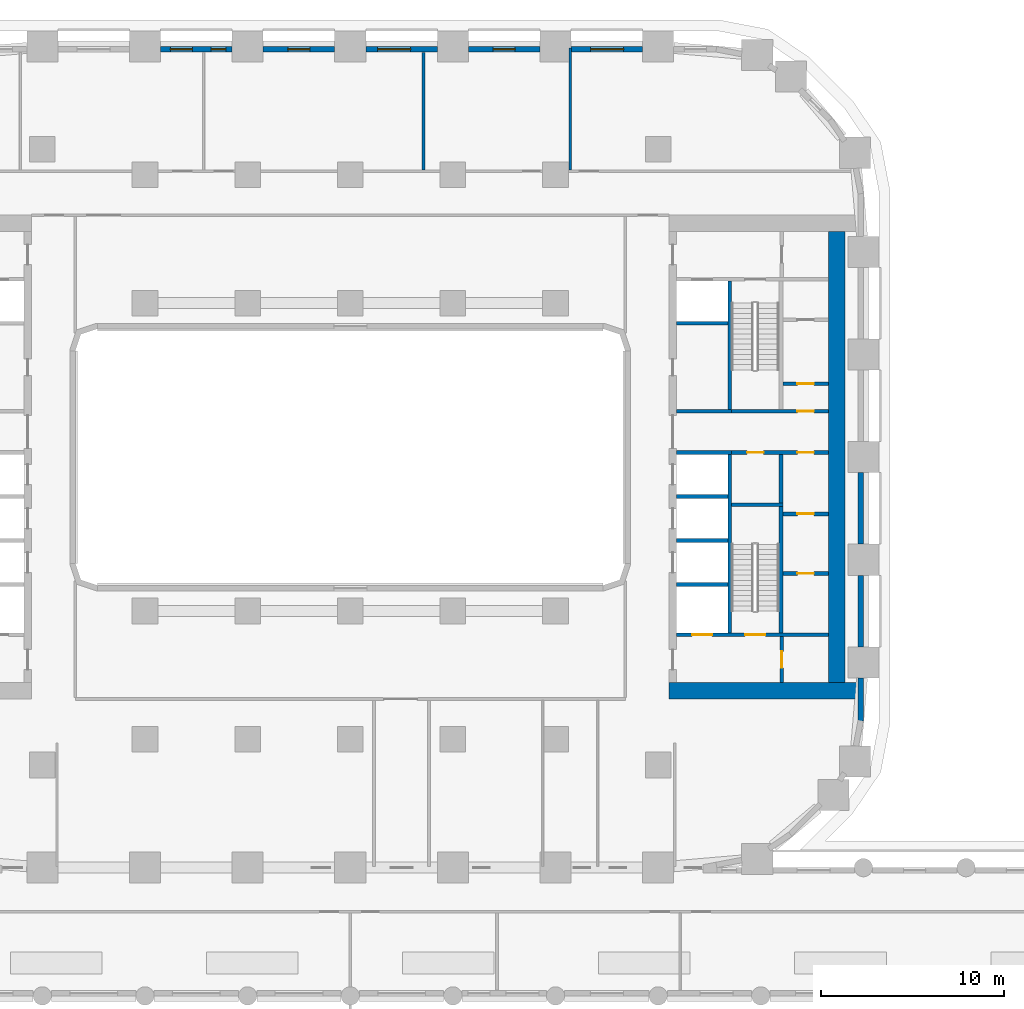
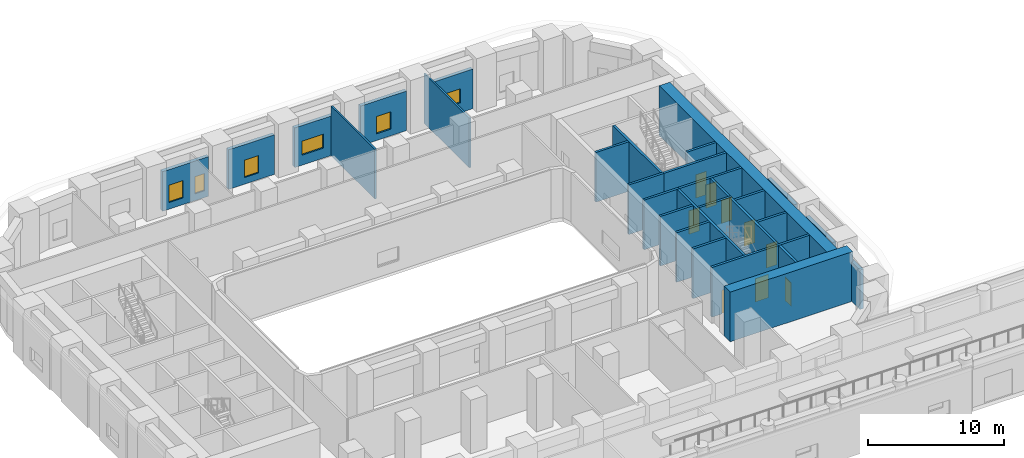
# One storey, part 7 of 13: 30 walls, 9 doors, 6 windows, 15 openings.
"""IFC4 building model written with IfcOpenShell, lengths in metres."""

from ifc_helpers import new_model, si_unit, direction, frame, frame_2d, origin, place, context, subcontext, project, spatial, rectangle, extrude, material, layer, layer_set, type_object, element, fill, save


model = new_model("IFC4")

# Units and contexts
model_context = context("Model", 3, precision=1e-05, world=origin(), true_north=direction((0.0, 1.0)))
body_context = subcontext(model_context, "Body", "Model", "MODEL_VIEW")
ifc_project = project(units=[si_unit("LENGTHUNIT", "METRE"), si_unit("AREAUNIT", "SQUARE_METRE"), si_unit("VOLUMEUNIT", "CUBIC_METRE"), si_unit("PLANEANGLEUNIT", "RADIAN"), si_unit("MASSUNIT", "GRAM", prefix="KILO")], contexts=[model_context])

# Site, building, storey
site_placement = place(None, origin())
site = spatial("IfcSite", under=ifc_project, at=site_placement, CompositionType="ELEMENT")
building_placement = place(site_placement, origin())
building = spatial("IfcBuilding", under=site, at=building_placement, Name="Kiln Ring Residences", CompositionType="ELEMENT")
storey_placement = place(building_placement, frame((0.0, 0.0, 25.699951171875)))
storey = spatial("IfcBuildingStorey", under=building, at=storey_placement, Name="L05", CompositionType="ELEMENT", Elevation=25.699951171875)

# Wall
ifc_material_1 = material(Name="Gypsum board on steel studs", Category="steel")
ifc_layer_1 = layer(ifc_material_1, 0.199951171875)
ifc_layer_set_1 = layer_set([ifc_layer_1], Name="CORE-PARTITION-200")
wall_type_1 = type_object("IfcWallType", Name="CORE-PARTITION-200", PredefinedType="PARTITIONING", material=ifc_layer_set_1)
wall_1_placement = place(storey_placement, frame((23.5, -2.5, 0.0), z_axis=(0.0, 0.0, 1.0), x_axis=(0.0, 1.0, 0.0)))
element("IfcWall", 1, at=wall_1_placement, inside=storey, type_object=wall_type_1, Name="Core partition east L05 1", PredefinedType="PARTITIONING", context=body_context, shape_type="SweptSolid", body=[
    extrude(rectangle(XDim=2.64990234375, YDim=0.199951171875, at=frame_2d((1.324951171875, 0.0))), origin(), (0.0, 0.0, 1.0), 4.449951171875),
])

# Wall, openings, doors
wall_2_placement = place(storey_placement, frame((20.800048828125, 0.25, 0.0), z_axis=(0.0, 0.0, 1.0), x_axis=(1.0, 0.0, 0.0)))
wall_2 = element("IfcWall", 2, at=wall_2_placement, inside=storey, type_object=wall_type_1, Name="Core partition east L05 2", PredefinedType="PARTITIONING", context=body_context, shape_type="SweptSolid", body=[
    extrude(rectangle(XDim=5.300048828125, YDim=0.199951171875, at=frame_2d((2.64990234375, 0.0))), origin(), (0.0, 0.0, 1.0), 4.449951171875),
])
opening_1_placement = place(wall_2_placement, frame((0.85009765625, 0.0, 0.0)))
opening_1 = element("IfcOpeningElement", 3, at=opening_1_placement, cuts=wall_2, Name="Opening L05-CE14", PredefinedType="OPENING", context=body_context, shape_type="SweptSolid", body=[
    extrude(rectangle(XDim=0.89990234375, YDim=2.10009765625, at=frame_2d((0.449951171875, 1.050048828125))), frame((0.0, 0.10986328125, 0.0), z_axis=(0.0, -1.0, 0.0), x_axis=(1.0, 0.0, 0.0)), (0.0, 0.0, 1.0), 0.219970703125),
])
opening_2_placement = place(wall_2_placement, frame((3.60009765625, 0.0, 0.0)))
opening_2 = element("IfcOpeningElement", 4, at=opening_2_placement, cuts=wall_2, Name="Opening L05-CE17", PredefinedType="OPENING", context=body_context, shape_type="SweptSolid", body=[
    extrude(rectangle(XDim=0.89990234375, YDim=2.10009765625, at=frame_2d((0.449951171875, 1.050048828125))), frame((0.0, 0.10986328125, 0.0), z_axis=(0.0, -1.0, 0.0), x_axis=(1.0, 0.0, 0.0)), (0.0, 0.0, 1.0), 0.219970703125),
])
ifc_material_2 = material(Name="Steel door leaf", Category="steel")
door_type_1 = type_object("IfcDoorType", Name="CORE-DOOR-ROOM", OperationType="SINGLE_SWING_LEFT", PredefinedType="DOOR", material=ifc_material_2)
door_1_placement = place(opening_1_placement, origin())
door_1 = element("IfcDoor", 5, at=door_1_placement, inside=storey, type_object=door_type_1, Name="Electrical riser room L05-CE14", OperationType="SINGLE_SWING_LEFT", OverallHeight=2.10009765625, OverallWidth=0.89990234375, PredefinedType="DOOR", context=body_context, shape_type="SweptSolid", body=[
    extrude(rectangle(XDim=0.89990234375, YDim=2.10009765625, at=frame_2d((0.449951171875, 1.050048828125))), frame((0.0, 0.02490234375, 0.0), z_axis=(0.0, -1.0, 0.0), x_axis=(1.0, 0.0, 0.0)), (0.0, 0.0, 1.0), 0.050048828125),
])
fill(opening_1, door_1)
door_2_placement = place(opening_2_placement, origin())
door_2 = element("IfcDoor", 6, at=door_2_placement, inside=storey, type_object=door_type_1, Name="Plant room L05-CE17", OperationType="SINGLE_SWING_RIGHT", OverallHeight=2.10009765625, OverallWidth=0.89990234375, PredefinedType="DOOR", context=body_context, shape_type="SweptSolid", body=[
    extrude(rectangle(XDim=0.89990234375, YDim=2.10009765625, at=frame_2d((0.449951171875, 1.050048828125))), frame((0.0, 0.02490234375, 0.0), z_axis=(0.0, -1.0, 0.0), x_axis=(1.0, 0.0, 0.0)), (0.0, 0.0, 1.0), 0.050048828125),
])
fill(opening_2, door_2)

# Wall, opening, door
wall_3_placement = place(storey_placement, frame((23.550048828125, -12.300048828125, 0.0), z_axis=(0.0, 0.0, 1.0), x_axis=(0.0, 1.0, 0.0)))
wall_3 = element("IfcWall", 7, at=wall_3_placement, inside=storey, type_object=wall_type_1, Name="Core partition east L05 4", PredefinedType="PARTITIONING", context=body_context, shape_type="SweptSolid", body=[
    extrude(rectangle(XDim=2.5, YDim=0.199951171875, at=frame_2d((1.25, 0.0))), origin(), (0.0, 0.0, 1.0), 4.449951171875),
])
opening_3_placement = place(wall_3_placement, frame((0.800048828125, 0.0, 0.0)))
opening_3 = element("IfcOpeningElement", 8, at=opening_3_placement, cuts=wall_3, Name="Opening L05-CE10", PredefinedType="OPENING", context=body_context, shape_type="SweptSolid", body=[
    extrude(rectangle(XDim=0.89990234375, YDim=2.10009765625, at=frame_2d((0.449951171875, 1.050048828125))), frame((0.0, 0.10986328125, 0.0), z_axis=(0.0, -1.0, 0.0), x_axis=(1.0, 0.0, 0.0)), (0.0, 0.0, 1.0), 0.219970703125),
])
door_3_placement = place(opening_3_placement, origin())
door_3 = element("IfcDoor", 9, at=door_3_placement, inside=storey, type_object=door_type_1, Name="Store L05-CE10", OperationType="SINGLE_SWING_LEFT", OverallHeight=2.10009765625, OverallWidth=0.89990234375, PredefinedType="DOOR", context=body_context, shape_type="SweptSolid", body=[
    extrude(rectangle(XDim=0.89990234375, YDim=2.10009765625, at=frame_2d((0.449951171875, 1.050048828125))), frame((0.0, 0.02490234375, 0.0), z_axis=(0.0, -1.0, 0.0), x_axis=(1.0, 0.0, 0.0)), (0.0, 0.0, 1.0), 0.050048828125),
])
fill(opening_3, door_3)

wall_4_placement = place(storey_placement, frame((23.60009765625, -6.35009765625, 0.0), z_axis=(0.0, 0.0, 1.0), x_axis=(1.0, 0.0, 0.0)))
wall_4 = element("IfcWall", 10, at=wall_4_placement, inside=storey, type_object=wall_type_1, Name="Core partition east L05 5", PredefinedType="PARTITIONING", context=body_context, shape_type="SweptSolid", body=[
    extrude(rectangle(XDim=2.5, YDim=0.199951171875, at=frame_2d((1.25, 0.0))), origin(), (0.0, 0.0, 1.0), 4.449951171875),
])
opening_4_placement = place(wall_4_placement, frame((0.800048828125, 0.0, 0.0)))
opening_4 = element("IfcOpeningElement", 11, at=opening_4_placement, cuts=wall_4, Name="Opening L05-CE15", PredefinedType="OPENING", context=body_context, shape_type="SweptSolid", body=[
    extrude(rectangle(XDim=0.89990234375, YDim=2.10009765625, at=frame_2d((0.449951171875, 1.050048828125))), frame((0.0, 0.10986328125, 0.0), z_axis=(0.0, -1.0, 0.0), x_axis=(1.0, 0.0, 0.0)), (0.0, 0.0, 1.0), 0.219970703125),
])
door_4_placement = place(opening_4_placement, origin())
door_4 = element("IfcDoor", 12, at=door_4_placement, inside=storey, type_object=door_type_1, Name="Meter room L05-CE15", OperationType="SINGLE_SWING_LEFT", OverallHeight=2.10009765625, OverallWidth=0.89990234375, PredefinedType="DOOR", context=body_context, shape_type="SweptSolid", body=[
    extrude(rectangle(XDim=0.89990234375, YDim=2.10009765625, at=frame_2d((0.449951171875, 1.050048828125))), frame((0.0, 0.02490234375, 0.0), z_axis=(0.0, -1.0, 0.0), x_axis=(1.0, 0.0, 0.0)), (0.0, 0.0, 1.0), 0.050048828125),
])
fill(opening_4, door_4)

wall_5_placement = place(storey_placement, frame((23.60009765625, -3.10009765625, 0.0), z_axis=(0.0, 0.0, 1.0), x_axis=(1.0, 0.0, 0.0)))
wall_5 = element("IfcWall", 13, at=wall_5_placement, inside=storey, type_object=wall_type_1, Name="Core partition east L05 6", PredefinedType="PARTITIONING", context=body_context, shape_type="SweptSolid", body=[
    extrude(rectangle(XDim=2.5, YDim=0.199951171875, at=frame_2d((1.25, 0.0))), origin(), (0.0, 0.0, 1.0), 4.449951171875),
])
opening_5_placement = place(wall_5_placement, frame((0.800048828125, 0.0, 0.0)))
opening_5 = element("IfcOpeningElement", 14, at=opening_5_placement, cuts=wall_5, Name="Opening L05-CE16", PredefinedType="OPENING", context=body_context, shape_type="SweptSolid", body=[
    extrude(rectangle(XDim=0.89990234375, YDim=2.10009765625, at=frame_2d((0.449951171875, 1.050048828125))), frame((0.0, 0.10986328125, 0.0), z_axis=(0.0, -1.0, 0.0), x_axis=(1.0, 0.0, 0.0)), (0.0, 0.0, 1.0), 0.219970703125),
])
door_5_placement = place(opening_5_placement, origin())
door_5 = element("IfcDoor", 15, at=door_5_placement, inside=storey, type_object=door_type_1, Name="Plant room L05-CE16", OperationType="SINGLE_SWING_RIGHT", OverallHeight=2.10009765625, OverallWidth=0.89990234375, PredefinedType="DOOR", context=body_context, shape_type="SweptSolid", body=[
    extrude(rectangle(XDim=0.89990234375, YDim=2.10009765625, at=frame_2d((0.449951171875, 1.050048828125))), frame((0.0, 0.02490234375, 0.0), z_axis=(0.0, -1.0, 0.0), x_axis=(1.0, 0.0, 0.0)), (0.0, 0.0, 1.0), 0.050048828125),
])
fill(opening_5, door_5)

wall_6_placement = place(storey_placement, frame((23.60009765625, 4.0, 0.0), z_axis=(0.0, 0.0, 1.0), x_axis=(1.0, 0.0, 0.0)))
wall_6 = element("IfcWall", 16, at=wall_6_placement, inside=storey, type_object=wall_type_1, Name="Core partition east L05 7", PredefinedType="PARTITIONING", context=body_context, shape_type="SweptSolid", body=[
    extrude(rectangle(XDim=2.5, YDim=0.199951171875, at=frame_2d((1.25, 0.0))), origin(), (0.0, 0.0, 1.0), 4.449951171875),
])
opening_6_placement = place(wall_6_placement, frame((0.800048828125, 0.0, 0.0)))
opening_6 = element("IfcOpeningElement", 17, at=opening_6_placement, cuts=wall_6, Name="Opening L05-CE18", PredefinedType="OPENING", context=body_context, shape_type="SweptSolid", body=[
    extrude(rectangle(XDim=0.89990234375, YDim=2.10009765625, at=frame_2d((0.449951171875, 1.050048828125))), frame((0.0, 0.10986328125, 0.0), z_axis=(0.0, -1.0, 0.0), x_axis=(1.0, 0.0, 0.0)), (0.0, 0.0, 1.0), 0.219970703125),
])
door_6_placement = place(opening_6_placement, origin())
door_6 = element("IfcDoor", 18, at=door_6_placement, inside=storey, type_object=door_type_1, Name="Electrical plant room L05-CE18", OperationType="SINGLE_SWING_RIGHT", OverallHeight=2.10009765625, OverallWidth=0.89990234375, PredefinedType="DOOR", context=body_context, shape_type="SweptSolid", body=[
    extrude(rectangle(XDim=0.89990234375, YDim=2.10009765625, at=frame_2d((0.449951171875, 1.050048828125))), frame((0.0, 0.02490234375, 0.0), z_axis=(0.0, -1.0, 0.0), x_axis=(1.0, 0.0, 0.0)), (0.0, 0.0, 1.0), 0.050048828125),
])
fill(opening_6, door_6)

# Walls
ifc_material_3 = material(Name="Gypsum shaft wall system")
ifc_layer_2 = layer(ifc_material_3, 0.199951171875)
ifc_layer_set_2 = layer_set([ifc_layer_2], Name="CORE-SHAFT-WALL-200")
wall_type_2 = type_object("IfcWallType", Name="CORE-SHAFT-WALL-200", PredefinedType="PARTITIONING", material=ifc_layer_set_2)
for number, where, z_axis, x_axis, name in (
    (19, (17.800048828125, -6.949951171875, 0.0), (0.0, 0.0, 1.0), (1.0, 0.0, 0.0), "Core partition east L05 9"),
    (20, (17.800048828125, -4.550048828125, 0.0), (0.0, 0.0, 1.0), (1.0, 0.0, 0.0), "Core partition east L05 10"),
    (21, (17.800048828125, -2.14990234375, 0.0), (0.0, 0.0, 1.0), (1.0, 0.0, 0.0), "Core partition east L05 11"),
):
    element("IfcWall", number, at=place(storey_placement, frame(where, z_axis=z_axis, x_axis=x_axis)), inside=storey, type_object=wall_type_2, Name=name, PredefinedType="PARTITIONING", context=body_context, shape_type="SweptSolid", body=[
        extrude(rectangle(XDim=2.800048828125, YDim=0.199951171875, at=frame_2d((1.39990234375, 0.0))), origin(), (0.0, 0.0, 1.0), 4.449951171875),
    ])
for number, where, z_axis, x_axis, name in (
    (22, (17.800048828125, 0.25, 0.0), (0.0, 0.0, 1.0), (1.0, 0.0, 0.0), "Core partition east L05 12"),
    (23, (17.800048828125, 2.5, 0.0), (0.0, 0.0, 1.0), (1.0, 0.0, 0.0), "Core partition east L05 13"),
):
    element("IfcWall", number, at=place(storey_placement, frame(where, z_axis=z_axis, x_axis=x_axis)), inside=storey, type_object=wall_type_2, Name=name, PredefinedType="PARTITIONING", context=body_context, shape_type="SweptSolid", body=[
        extrude(rectangle(XDim=3.0, YDim=0.199951171875, at=frame_2d((1.5, 0.0))), origin(), (0.0, 0.0, 1.0), 4.449951171875),
    ])
wall_7_placement = place(storey_placement, frame((17.800048828125, 7.300048828125, 0.0), z_axis=(0.0, 0.0, 1.0), x_axis=(1.0, 0.0, 0.0)))
element("IfcWall", 24, at=wall_7_placement, inside=storey, type_object=wall_type_2, Name="Core partition east L05 14", PredefinedType="PARTITIONING", context=body_context, shape_type="SweptSolid", body=[
    extrude(rectangle(XDim=2.800048828125, YDim=0.199951171875, at=frame_2d((1.39990234375, 0.0))), origin(), (0.0, 0.0, 1.0), 4.449951171875),
])
ifc_material_4 = material(Name="Concrete C40/50", Category="concrete")
ifc_layer_3 = layer(ifc_material_4, 0.199951171875)
ifc_layer_set_3 = layer_set([ifc_layer_3], Name="CORE-WALL-RC200")
wall_type_3 = type_object("IfcWallType", Name="CORE-WALL-RC200", PredefinedType="SHEAR", material=ifc_layer_set_3)
wall_8_placement = place(storey_placement, frame((20.699951171875, 2.60009765625, 0.0), z_axis=(0.0, 0.0, 1.0), x_axis=(0.0, 1.0, 0.0)))
element("IfcWall", 25, at=wall_8_placement, inside=storey, type_object=wall_type_3, Name="Core wall east L05 1", PredefinedType="SHEAR", context=body_context, shape_type="SweptSolid", body=[
    extrude(rectangle(XDim=7.0, YDim=0.199951171875, at=frame_2d((3.5, 0.0))), origin(), (0.0, 0.0, 1.0), 4.449951171875),
])
wall_9_placement = place(storey_placement, frame((20.699951171875, -9.60009765625, 0.0), z_axis=(0.0, 0.0, 1.0), x_axis=(0.0, 1.0, 0.0)))
element("IfcWall", 26, at=wall_9_placement, inside=storey, type_object=wall_type_3, Name="Core wall east L05 2", PredefinedType="SHEAR", context=body_context, shape_type="SweptSolid", body=[
    extrude(rectangle(XDim=9.75, YDim=0.199951171875, at=frame_2d((4.875, 0.0))), origin(), (0.0, 0.0, 1.0), 4.449951171875),
])

# Wall, opening, door
wall_10_placement = place(storey_placement, frame((20.800048828125, 2.5, 0.0), z_axis=(0.0, 0.0, 1.0), x_axis=(1.0, 0.0, 0.0)))
wall_10 = element("IfcWall", 27, at=wall_10_placement, inside=storey, type_object=wall_type_3, Name="Core wall east L05 3", PredefinedType="SHEAR", context=body_context, shape_type="SweptSolid", body=[
    extrude(rectangle(XDim=5.300048828125, YDim=0.199951171875, at=frame_2d((2.64990234375, 0.0))), origin(), (0.0, 0.0, 1.0), 4.449951171875),
])
opening_7_placement = place(wall_10_placement, frame((3.60009765625, 0.0, 0.0)))
opening_7 = element("IfcOpeningElement", 28, at=opening_7_placement, cuts=wall_10, Name="Opening L05-CE20", PredefinedType="OPENING", context=body_context, shape_type="SweptSolid", body=[
    extrude(rectangle(XDim=0.89990234375, YDim=2.10009765625, at=frame_2d((0.449951171875, 1.050048828125))), frame((0.0, 0.10986328125, 0.0), z_axis=(0.0, -1.0, 0.0), x_axis=(1.0, 0.0, 0.0)), (0.0, 0.0, 1.0), 0.219970703125),
])
door_7_placement = place(opening_7_placement, origin())
door_7 = element("IfcDoor", 29, at=door_7_placement, inside=storey, type_object=door_type_1, Name="Comms room L05-CE20", OperationType="SINGLE_SWING_RIGHT", OverallHeight=2.10009765625, OverallWidth=0.89990234375, PredefinedType="DOOR", context=body_context, shape_type="SweptSolid", body=[
    extrude(rectangle(XDim=0.89990234375, YDim=2.10009765625, at=frame_2d((0.449951171875, 1.050048828125))), frame((0.0, 0.02490234375, 0.0), z_axis=(0.0, -1.0, 0.0), x_axis=(1.0, 0.0, 0.0)), (0.0, 0.0, 1.0), 0.050048828125),
])
fill(opening_7, door_7)

# Wall, openings, doors
wall_11_placement = place(storey_placement, frame((17.800048828125, -9.699951171875, 0.0), z_axis=(0.0, 0.0, 1.0), x_axis=(1.0, 0.0, 0.0)))
wall_11 = element("IfcWall", 30, at=wall_11_placement, inside=storey, type_object=wall_type_3, Name="Core wall east L05 8", PredefinedType="SHEAR", context=body_context, shape_type="SweptSolid", body=[
    extrude(rectangle(XDim=8.300048828125, YDim=0.199951171875, at=frame_2d((4.14990234375, 0.0))), origin(), (0.0, 0.0, 1.0), 4.449951171875),
])
opening_8_placement = place(wall_11_placement, frame((0.85009765625, 0.0, 0.0)))
opening_8 = element("IfcOpeningElement", 31, at=opening_8_placement, cuts=wall_11, Name="Opening L05-CE01", PredefinedType="OPENING", context=body_context, shape_type="SweptSolid", body=[
    extrude(rectangle(XDim=1.10009765625, YDim=2.10009765625, at=frame_2d((0.550048828125, 1.050048828125))), frame((0.0, 0.10986328125, 0.0), z_axis=(0.0, -1.0, 0.0), x_axis=(1.0, 0.0, 0.0)), (0.0, 0.0, 1.0), 0.219970703125),
])
opening_9_placement = place(wall_11_placement, frame((3.75, 0.0, 0.0)))
opening_9 = element("IfcOpeningElement", 32, at=opening_9_placement, cuts=wall_11, Name="Opening L05-CE12", PredefinedType="OPENING", context=body_context, shape_type="SweptSolid", body=[
    extrude(rectangle(XDim=1.10009765625, YDim=2.10009765625, at=frame_2d((0.550048828125, 1.050048828125))), frame((0.0, 0.10986328125, 0.0), z_axis=(0.0, -1.0, 0.0), x_axis=(1.0, 0.0, 0.0)), (0.0, 0.0, 1.0), 0.219970703125),
])
ifc_material_5 = material(Name="Steel door leaf", Category="steel")
door_type_2 = type_object("IfcDoorType", Name="CORE-DOOR-LD", OperationType="DOUBLE_DOOR_SLIDING", PredefinedType="DOOR", material=ifc_material_5)
door_8_placement = place(opening_8_placement, origin())
door_8 = element("IfcDoor", 33, at=door_8_placement, inside=storey, type_object=door_type_2, Name="LD E-SV L05-CE01", OperationType="DOUBLE_DOOR_SLIDING", OverallHeight=2.10009765625, OverallWidth=1.10009765625, PredefinedType="DOOR", context=body_context, shape_type="SweptSolid", body=[
    extrude(rectangle(XDim=1.10009765625, YDim=2.10009765625, at=frame_2d((0.550048828125, 1.050048828125))), frame((0.0, 0.02490234375, 0.0), z_axis=(0.0, -1.0, 0.0), x_axis=(1.0, 0.0, 0.0)), (0.0, 0.0, 1.0), 0.050048828125),
])
fill(opening_8, door_8)
ifc_material_6 = material(Name="Steel door leaf", Category="steel")
door_type_3 = type_object("IfcDoorType", Name="CORE-DOOR-STAIR", OperationType="SINGLE_SWING_LEFT", PredefinedType="DOOR", material=ifc_material_6)
door_9_placement = place(opening_9_placement, origin())
door_9 = element("IfcDoor", 34, at=door_9_placement, inside=storey, type_object=door_type_3, Name="Stair E-STS L05-CE12", OperationType="SINGLE_SWING_RIGHT", OverallHeight=2.10009765625, OverallWidth=1.10009765625, PredefinedType="DOOR", context=body_context, shape_type="SweptSolid", body=[
    extrude(rectangle(XDim=1.10009765625, YDim=2.10009765625, at=frame_2d((0.550048828125, 1.050048828125))), frame((0.0, 0.02490234375, 0.0), z_axis=(0.0, -1.0, 0.0), x_axis=(1.0, 0.0, 0.0)), (0.0, 0.0, 1.0), 0.050048828125),
])
fill(opening_9, door_9)

# Walls
wall_12_placement = place(storey_placement, frame((23.5, -9.60009765625, 0.0), z_axis=(0.0, 0.0, 1.0), x_axis=(0.0, 1.0, 0.0)))
element("IfcWall", 35, at=wall_12_placement, inside=storey, type_object=wall_type_3, Name="Core wall east L05 11", PredefinedType="SHEAR", context=body_context, shape_type="SweptSolid", body=[
    extrude(rectangle(XDim=6.900146484375, YDim=0.199951171875, at=frame_2d((3.4501953125, 0.0))), origin(), (0.0, 0.0, 1.0), 4.449951171875),
])
wall_13_placement = place(storey_placement, frame((20.800048828125, -2.60009765625, 0.0), z_axis=(0.0, 0.0, 1.0), x_axis=(1.0, 0.0, 0.0)))
element("IfcWall", 36, at=wall_13_placement, inside=storey, type_object=wall_type_3, Name="Core wall east L05 12", PredefinedType="SHEAR", context=body_context, shape_type="SweptSolid", body=[
    extrude(rectangle(XDim=2.800048828125, YDim=0.199951171875, at=frame_2d((1.39990234375, 0.0))), origin(), (0.0, 0.0, 1.0), 4.449951171875),
])
ifc_material_7 = material(Name="Concrete C60/75", Category="concrete")
ifc_layer_4 = layer(ifc_material_7, 0.89990234375)
ifc_layer_set_4 = layer_set([ifc_layer_4], Name="CORE-WALL-RC900")
wall_type_4 = type_object("IfcWallType", Name="CORE-WALL-RC900", PredefinedType="SHEAR", material=ifc_layer_set_4)
wall_14_placement = place(storey_placement, frame((17.39990234375, -12.75, 0.0), z_axis=(0.0, 0.0, 1.0), x_axis=(1.0, 0.0, 0.0)))
element("IfcWall", 37, at=wall_14_placement, inside=storey, type_object=wall_type_4, Name="Core wall east L05 5", PredefinedType="SHEAR", context=body_context, shape_type="SweptSolid", body=[
    extrude(rectangle(XDim=10.400146484375, YDim=0.89990234375, at=frame_2d((5.2001953125, 0.0))), origin(), (0.0, 0.0, 1.0), 4.449951171875),
])
wall_15_placement = place(storey_placement, frame((26.550048828125, -12.300048828125, 0.0), z_axis=(0.0, 0.0, 1.0), x_axis=(0.0, 1.0, 0.0)))
element("IfcWall", 38, at=wall_15_placement, inside=storey, type_object=wall_type_4, Name="Core wall east L05 7", PredefinedType="SHEAR", context=body_context, shape_type="SweptSolid", body=[
    extrude(rectangle(XDim=24.60009765625, YDim=0.89990234375, at=frame_2d((12.300048828125, 0.0))), origin(), (0.0, 0.0, 1.0), 4.449951171875),
])
ifc_material_8 = material(Name="Brick masonry, dark clay brick", Category="masonry")
ifc_layer_5 = layer(ifc_material_8, 0.300048828125)
ifc_layer_set_5 = layer_set([ifc_layer_5], Name="EW-300 BRICK WALL")
wall_type_5 = type_object("IfcWallType", Name="EW-300 BRICK WALL", PredefinedType="SOLIDWALL", material=ifc_layer_set_5)
wall_16_placement = place(storey_placement, frame((27.85009765625, -14.39990234375, 0.0), z_axis=(0.0, 0.0, 1.0), x_axis=(0.0, 1.0, 0.0)))
element("IfcWall", 39, at=wall_16_placement, inside=storey, type_object=wall_type_5, Name="Facade wall L05 12", PredefinedType="SOLIDWALL", context=body_context, shape_type="SweptSolid", body=[
    extrude(rectangle(XDim=2.349853515625, YDim=0.300048828125, at=frame_2d((1.1748046875, 0.0))), origin(), (0.0, 0.0, 1.0), 3.550048828125),
])
wall_17_placement = place(storey_placement, frame((27.85009765625, -10.35009765625, 0.0), z_axis=(0.0, 0.0, 1.0), x_axis=(0.0, 1.0, 0.0)))
element("IfcWall", 40, at=wall_17_placement, inside=storey, type_object=wall_type_5, Name="Facade wall L05 13", PredefinedType="SOLIDWALL", context=body_context, shape_type="SweptSolid", body=[
    extrude(rectangle(XDim=3.900146484375, YDim=0.300048828125, at=frame_2d((1.9501953125, 0.0))), origin(), (0.0, 0.0, 1.0), 3.550048828125),
])
wall_18_placement = place(storey_placement, frame((27.85009765625, -4.75, 0.0), z_axis=(0.0, 0.0, 1.0), x_axis=(0.0, 1.0, 0.0)))
element("IfcWall", 41, at=wall_18_placement, inside=storey, type_object=wall_type_5, Name="Facade wall L05 14", PredefinedType="SOLIDWALL", context=body_context, shape_type="SweptSolid", body=[
    extrude(rectangle(XDim=3.89990234375, YDim=0.300048828125, at=frame_2d((1.949951171875, 0.0))), origin(), (0.0, 0.0, 1.0), 3.550048828125),
])

# Wall, opening, window
wall_19_placement = place(storey_placement, frame((15.949951171875, 22.25, 0.0), z_axis=(0.0, 0.0, 1.0), x_axis=(-1.0, 0.0, 0.0)))
wall_19 = element("IfcWall", 42, at=wall_19_placement, inside=storey, type_object=wall_type_5, Name="Facade wall L05 24", PredefinedType="SOLIDWALL", context=body_context, shape_type="SweptSolid", body=[
    extrude(rectangle(XDim=3.89990234375, YDim=0.300048828125, at=frame_2d((1.949951171875, 0.0))), origin(), (0.0, 0.0, 1.0), 3.550048828125),
])
opening_10_placement = place(wall_19_placement, frame((1.03759765625, 0.0, 0.89990234375)))
opening_10 = element("IfcOpeningElement", 43, at=opening_10_placement, cuts=wall_19, Name="Opening W2", PredefinedType="OPENING", context=body_context, shape_type="SweptSolid", body=[
    extrude(rectangle(XDim=1.800048828125, YDim=1.25, at=frame_2d((0.89990234375, 0.625))), frame((0.0, 0.159912109375, 0.0), z_axis=(0.0, -1.0, 0.0), x_axis=(1.0, 0.0, 0.0)), (0.0, 0.0, 1.0), 0.320068359375),
])
ifc_material_9 = material(Name="Aluminium frame with double glazing", Category="aluminium")
window_type_1 = type_object("IfcWindowType", Name="WINDOW 1800 x 1250", PartitioningType="SINGLE_PANEL", PredefinedType="WINDOW", material=ifc_material_9)
window_1_placement = place(opening_10_placement, origin())
window_1 = element("IfcWindow", 44, at=window_1_placement, inside=storey, type_object=window_type_1, Name="Window L05 10", OverallHeight=1.25, OverallWidth=1.800048828125, PartitioningType="SINGLE_PANEL", PredefinedType="WINDOW", context=body_context, shape_type="SweptSolid", body=[
    extrude(rectangle(XDim=1.800048828125, YDim=1.25, at=frame_2d((0.89990234375, 0.625))), frame((0.0, 0.030029296875, 0.0), z_axis=(0.0, -1.0, 0.0), x_axis=(1.0, 0.0, 0.0)), (0.0, 0.0, 1.0), 0.06005859375),
])
fill(opening_10, window_1)

wall_20_placement = place(storey_placement, frame((10.35009765625, 22.25, 0.0), z_axis=(0.0, 0.0, 1.0), x_axis=(-1.0, 0.0, 0.0)))
wall_20 = element("IfcWall", 45, at=wall_20_placement, inside=storey, type_object=wall_type_5, Name="Facade wall L05 25", PredefinedType="SOLIDWALL", context=body_context, shape_type="SweptSolid", body=[
    extrude(rectangle(XDim=3.900146484375, YDim=0.300048828125, at=frame_2d((1.9501953125, 0.0))), origin(), (0.0, 0.0, 1.0), 3.550048828125),
])
opening_11_placement = place(wall_20_placement, frame((1.35009765625, 0.0, 0.60009765625)))
opening_11 = element("IfcOpeningElement", 46, at=opening_11_placement, cuts=wall_20, Name="Opening W1", PredefinedType="OPENING", context=body_context, shape_type="SweptSolid", body=[
    extrude(rectangle(XDim=1.199951171875, YDim=1.550048828125, at=frame_2d((0.60009765625, 0.77490234375))), frame((0.0, 0.159912109375, 0.0), z_axis=(0.0, -1.0, 0.0), x_axis=(1.0, 0.0, 0.0)), (0.0, 0.0, 1.0), 0.320068359375),
])
ifc_material_10 = material(Name="Aluminium frame with double glazing", Category="aluminium")
window_type_2 = type_object("IfcWindowType", Name="WINDOW 1200 x 1550", PartitioningType="SINGLE_PANEL", PredefinedType="WINDOW", material=ifc_material_10)
window_2_placement = place(opening_11_placement, origin())
window_2 = element("IfcWindow", 47, at=window_2_placement, inside=storey, type_object=window_type_2, Name="Window L05 11", OverallHeight=1.550048828125, OverallWidth=1.199951171875, PartitioningType="SINGLE_PANEL", PredefinedType="WINDOW", context=body_context, shape_type="SweptSolid", body=[
    extrude(rectangle(XDim=1.199951171875, YDim=1.550048828125, at=frame_2d((0.60009765625, 0.77490234375))), frame((0.0, 0.030029296875, 0.0), z_axis=(0.0, -1.0, 0.0), x_axis=(1.0, 0.0, 0.0)), (0.0, 0.0, 1.0), 0.06005859375),
])
fill(opening_11, window_2)

wall_21_placement = place(storey_placement, frame((4.75, 22.25, 0.0), z_axis=(0.0, 0.0, 1.0), x_axis=(-1.0, 0.0, 0.0)))
wall_21 = element("IfcWall", 48, at=wall_21_placement, inside=storey, type_object=wall_type_5, Name="Facade wall L05 26", PredefinedType="SOLIDWALL", context=body_context, shape_type="SweptSolid", body=[
    extrude(rectangle(XDim=3.89990234375, YDim=0.300048828125, at=frame_2d((1.949951171875, 0.0))), origin(), (0.0, 0.0, 1.0), 3.550048828125),
])
opening_12_placement = place(wall_21_placement, frame((1.46240234375, 0.0, 0.89990234375)))
opening_12 = element("IfcOpeningElement", 49, at=opening_12_placement, cuts=wall_21, Name="Opening W2", PredefinedType="OPENING", context=body_context, shape_type="SweptSolid", body=[
    extrude(rectangle(XDim=1.800048828125, YDim=1.25, at=frame_2d((0.89990234375, 0.625))), frame((0.0, 0.159912109375, 0.0), z_axis=(0.0, -1.0, 0.0), x_axis=(1.0, 0.0, 0.0)), (0.0, 0.0, 1.0), 0.320068359375),
])
window_3_placement = place(opening_12_placement, origin())
window_3 = element("IfcWindow", 50, at=window_3_placement, inside=storey, type_object=window_type_1, Name="Window L05 12", OverallHeight=1.25, OverallWidth=1.800048828125, PartitioningType="SINGLE_PANEL", PredefinedType="WINDOW", context=body_context, shape_type="SweptSolid", body=[
    extrude(rectangle(XDim=1.800048828125, YDim=1.25, at=frame_2d((0.89990234375, 0.625))), frame((0.0, 0.030029296875, 0.0), z_axis=(0.0, -1.0, 0.0), x_axis=(1.0, 0.0, 0.0)), (0.0, 0.0, 1.0), 0.06005859375),
])
fill(opening_12, window_3)

wall_22_placement = place(storey_placement, frame((-0.85009765625, 22.25, 0.0), z_axis=(0.0, 0.0, 1.0), x_axis=(-1.0, 0.0, 0.0)))
wall_22 = element("IfcWall", 51, at=wall_22_placement, inside=storey, type_object=wall_type_5, Name="Facade wall L05 27", PredefinedType="SOLIDWALL", context=body_context, shape_type="SweptSolid", body=[
    extrude(rectangle(XDim=3.89990234375, YDim=0.300048828125, at=frame_2d((1.949951171875, 0.0))), origin(), (0.0, 0.0, 1.0), 3.550048828125),
])
opening_13_placement = place(wall_22_placement, frame((1.35009765625, 0.0, 0.60009765625)))
opening_13 = element("IfcOpeningElement", 52, at=opening_13_placement, cuts=wall_22, Name="Opening W1", PredefinedType="OPENING", context=body_context, shape_type="SweptSolid", body=[
    extrude(rectangle(XDim=1.199951171875, YDim=1.550048828125, at=frame_2d((0.60009765625, 0.77490234375))), frame((0.0, 0.159912109375, 0.0), z_axis=(0.0, -1.0, 0.0), x_axis=(1.0, 0.0, 0.0)), (0.0, 0.0, 1.0), 0.320068359375),
])
window_4_placement = place(opening_13_placement, origin())
window_4 = element("IfcWindow", 53, at=window_4_placement, inside=storey, type_object=window_type_2, Name="Window L05 13", OverallHeight=1.550048828125, OverallWidth=1.199951171875, PartitioningType="SINGLE_PANEL", PredefinedType="WINDOW", context=body_context, shape_type="SweptSolid", body=[
    extrude(rectangle(XDim=1.199951171875, YDim=1.550048828125, at=frame_2d((0.60009765625, 0.77490234375))), frame((0.0, 0.030029296875, 0.0), z_axis=(0.0, -1.0, 0.0), x_axis=(1.0, 0.0, 0.0)), (0.0, 0.0, 1.0), 0.06005859375),
])
fill(opening_13, window_4)

# Wall, openings, windows
wall_23_placement = place(storey_placement, frame((-6.449951171875, 22.25, 0.0), z_axis=(0.0, 0.0, 1.0), x_axis=(-1.0, 0.0, 0.0)))
wall_23 = element("IfcWall", 54, at=wall_23_placement, inside=storey, type_object=wall_type_5, Name="Facade wall L05 28", PredefinedType="SOLIDWALL", context=body_context, shape_type="SweptSolid", body=[
    extrude(rectangle(XDim=3.900146484375, YDim=0.300048828125, at=frame_2d((1.9501953125, 0.0))), origin(), (0.0, 0.0, 1.0), 3.550048828125),
])
opening_14_placement = place(wall_23_placement, frame((0.33740234375, 0.0, 0.60009765625)))
opening_14 = element("IfcOpeningElement", 55, at=opening_14_placement, cuts=wall_23, Name="Opening W5", PredefinedType="OPENING", context=body_context, shape_type="SweptSolid", body=[
    extrude(rectangle(XDim=0.800048828125, YDim=1.550048828125, at=frame_2d((0.39990234375, 0.77490234375))), frame((0.0, 0.159912109375, 0.0), z_axis=(0.0, -1.0, 0.0), x_axis=(1.0, 0.0, 0.0)), (0.0, 0.0, 1.0), 0.320068359375),
])
opening_15_placement = place(wall_23_placement, frame((2.16259765625, 0.0, 0.60009765625)))
opening_15 = element("IfcOpeningElement", 56, at=opening_15_placement, cuts=wall_23, Name="Opening W1", PredefinedType="OPENING", context=body_context, shape_type="SweptSolid", body=[
    extrude(rectangle(XDim=1.199951171875, YDim=1.550048828125, at=frame_2d((0.60009765625, 0.77490234375))), frame((0.0, 0.159912109375, 0.0), z_axis=(0.0, -1.0, 0.0), x_axis=(1.0, 0.0, 0.0)), (0.0, 0.0, 1.0), 0.320068359375),
])
window_5_placement = place(opening_15_placement, origin())
window_5 = element("IfcWindow", 57, at=window_5_placement, inside=storey, type_object=window_type_2, Name="Window L05 15", OverallHeight=1.550048828125, OverallWidth=1.199951171875, PartitioningType="SINGLE_PANEL", PredefinedType="WINDOW", context=body_context, shape_type="SweptSolid", body=[
    extrude(rectangle(XDim=1.199951171875, YDim=1.550048828125, at=frame_2d((0.60009765625, 0.77490234375))), frame((0.0, 0.030029296875, 0.0), z_axis=(0.0, -1.0, 0.0), x_axis=(1.0, 0.0, 0.0)), (0.0, 0.0, 1.0), 0.06005859375),
])
fill(opening_15, window_5)
ifc_material_11 = material(Name="Aluminium frame with double glazing", Category="aluminium")
window_type_3 = type_object("IfcWindowType", Name="WINDOW 800 x 1550", PartitioningType="SINGLE_PANEL", PredefinedType="WINDOW", material=ifc_material_11)
window_6_placement = place(opening_14_placement, origin())
window_6 = element("IfcWindow", 58, at=window_6_placement, inside=storey, type_object=window_type_3, Name="Window L05 14", OverallHeight=1.550048828125, OverallWidth=0.800048828125, PartitioningType="SINGLE_PANEL", PredefinedType="WINDOW", context=body_context, shape_type="SweptSolid", body=[
    extrude(rectangle(XDim=0.800048828125, YDim=1.550048828125, at=frame_2d((0.39990234375, 0.77490234375))), frame((0.0, 0.030029296875, 0.0), z_axis=(0.0, -1.0, 0.0), x_axis=(1.0, 0.0, 0.0)), (0.0, 0.0, 1.0), 0.06005859375),
])
fill(opening_14, window_6)

# Walls
ifc_material_12 = material(Name="Brick masonry partition", Category="masonry")
ifc_layer_6 = layer(ifc_material_12, 0.14990234375)
ifc_layer_set_6 = layer_set([ifc_layer_6], Name="PARTITION-150-ei60")
wall_type_6 = type_object("IfcWallType", Name="PARTITION-150-ei60", PredefinedType="PARTITIONING", material=ifc_layer_set_6)
wall_24_placement = place(storey_placement, frame((4.0, 15.675048828125, 0.0), z_axis=(0.0, 0.0, 1.0), x_axis=(0.0, 1.0, 0.0)))
element("IfcWall", 59, at=wall_24_placement, inside=storey, type_object=wall_type_6, Name="Partition 019", PredefinedType="PARTITIONING", context=body_context, shape_type="SweptSolid", body=[
    extrude(rectangle(XDim=6.405029296875, YDim=0.14990234375, at=frame_2d((3.20263671875, 0.0))), origin(), (0.0, 0.0, 1.0), 4.449951171875),
])
wall_25_placement = place(storey_placement, frame((12.0, 15.675048828125, 0.0), z_axis=(0.0, 0.0, 1.0), x_axis=(0.0, 1.0, 0.0)))
element("IfcWall", 60, at=wall_25_placement, inside=storey, type_object=wall_type_6, Name="Partition 023", PredefinedType="PARTITIONING", context=body_context, shape_type="SweptSolid", body=[
    extrude(rectangle(XDim=6.635009765625, YDim=0.14990234375, at=frame_2d((3.3173828125, 0.0))), origin(), (0.0, 0.0, 1.0), 4.449951171875),
])

save(model, "model.ifc")
